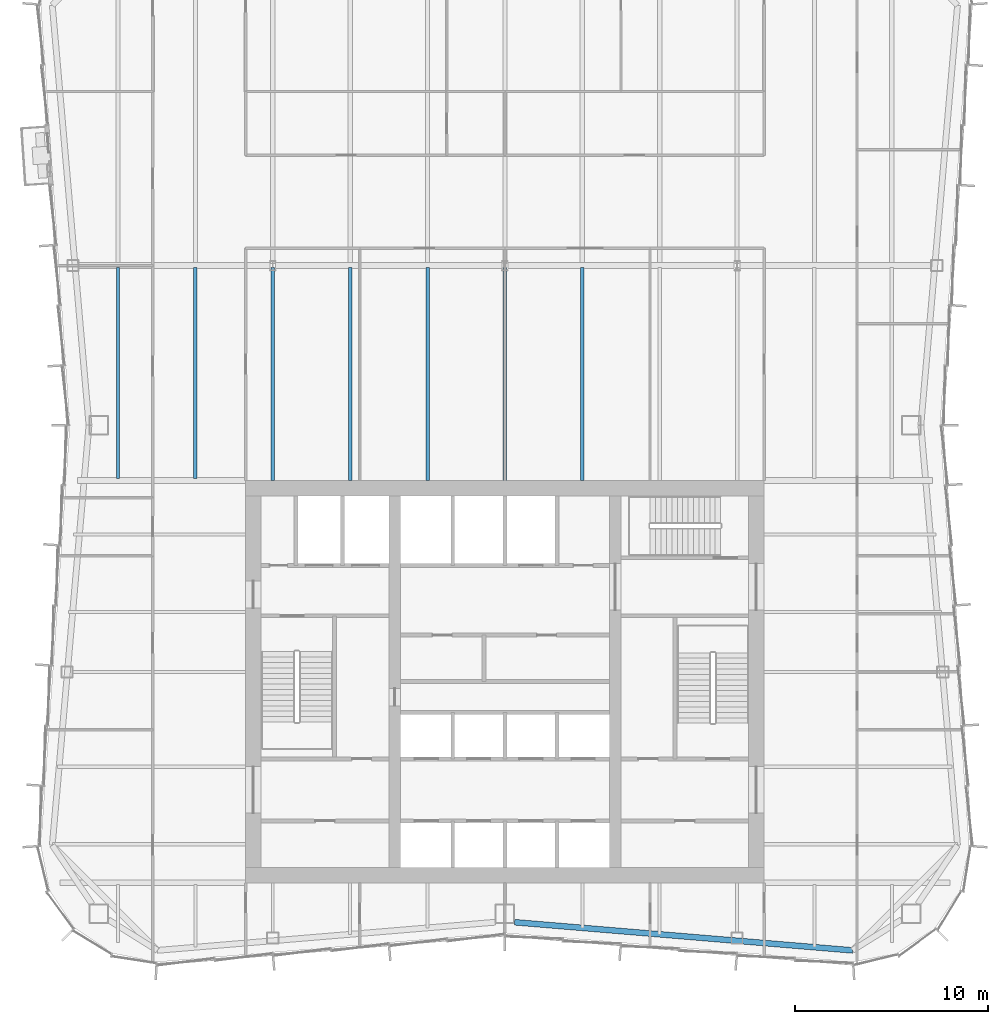
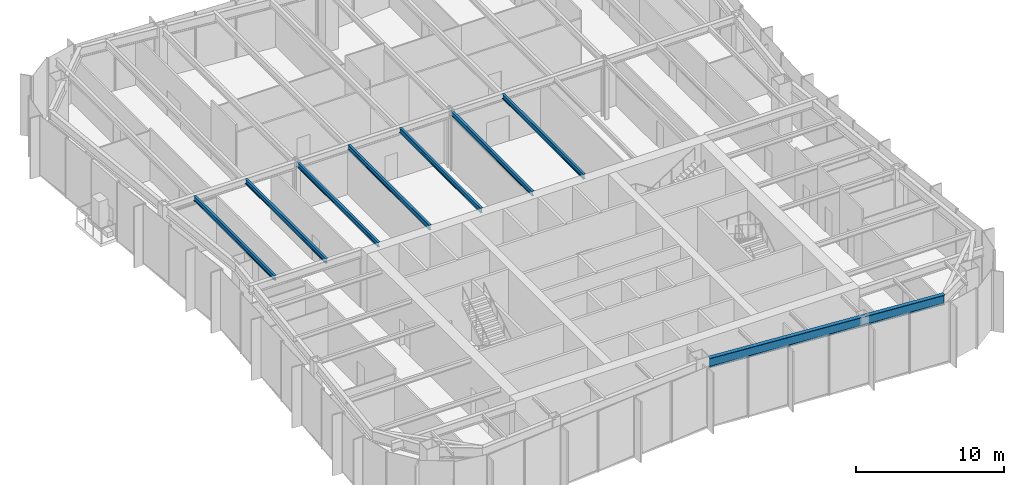
# One storey, part 4 of 15: 8 beams.
"""IFC4 building model written with IfcOpenShell, lengths in metres."""

from ifc_helpers import new_model, si_unit, direction, frame, origin, origin_2d, place, context, subcontext, project, spatial, i_section, extrude, material, material_profile, profile_set, type_object, element, save


model = new_model("IFC4")

# Units and contexts
model_context = context("Model", 3, precision=1e-05, world=origin(), true_north=direction((0.0, 1.0)))
body_context = subcontext(model_context, "Body", "Model", "MODEL_VIEW")
ifc_project = project(units=[si_unit("LENGTHUNIT", "METRE"), si_unit("AREAUNIT", "SQUARE_METRE"), si_unit("VOLUMEUNIT", "CUBIC_METRE"), si_unit("PLANEANGLEUNIT", "RADIAN"), si_unit("MASSUNIT", "GRAM", prefix="KILO")], contexts=[model_context])

# Site, building, storey
site_placement = place(None, origin())
site = spatial("IfcSite", under=ifc_project, at=site_placement, CompositionType="ELEMENT")
building_placement = place(site_placement, origin())
building = spatial("IfcBuilding", under=site, at=building_placement, Name="Verdant Reach Tower", CompositionType="ELEMENT")
storey_placement = place(building_placement, frame((0.0, 0.0, 233.0)))
storey = spatial("IfcBuildingStorey", under=building, at=storey_placement, Name="L53", CompositionType="ELEMENT", Elevation=233.0)

# Beams
ifc_material = material(Name="Steel S355", Category="steel")
ifc_material_profile_1 = material_profile(ifc_material, i_section(OverallWidth=0.179931640625, OverallDepth=0.39990234375, WebThickness=0.008544921875, FlangeThickness=0.013427734375, FilletRadius=0.02099609375, at=origin_2d()), Name="IPE 400")
ifc_profile_set_1 = profile_set([ifc_material_profile_1], Name="Steel S355")
beam_type_1 = type_object("IfcBeamType", Name="ST-JOIST-IPE400", PredefinedType="JOIST", material=ifc_profile_set_1)
for number, where, z_axis, x_axis, name in (
    (1, (-20.0, 38.5, 4.669921875), (0.0, 1.0, 0.0), (-1.0, 0.0, 0.0), "Floor joist, L53"),
    (2, (-16.0, 38.5, 4.669921875), (0.0, 1.0, 0.0), (-1.0, 0.0, 0.0), "Floor joist, L53"),
):
    element("IfcBeam", number, at=place(storey_placement, frame(where, z_axis=z_axis, x_axis=x_axis)), inside=storey, type_object=beam_type_1, Name=name, PredefinedType="JOIST", context=body_context, shape_type="SweptSolid", body=[
        extrude(i_section(OverallWidth=0.179931640625, OverallDepth=0.39990234375, WebThickness=0.008544921875, FlangeThickness=0.013427734375, FilletRadius=0.02099609375, at=origin_2d()), origin(), (0.0, 0.0, 1.0), 10.89990234375),
    ])
for number, where, z_axis, x_axis, name in (
    (3, (-12.0, 38.39990234375, 4.669921875), (0.0, 1.0, 0.0), (-1.0, 0.0, 0.0), "Floor joist, L53"),
    (4, (-8.0, 38.39990234375, 4.669921875), (0.0, 1.0, 0.0), (-1.0, 0.0, 0.0), "Floor joist, L53"),
    (5, (-4.0, 38.39990234375, 4.669921875), (0.0, 1.0, 0.0), (-1.0, 0.0, 0.0), "Floor joist, L53"),
    (6, (0.0, 38.39990234375, 4.669921875), (0.0, 1.0, 0.0), (-1.0, 0.0, 0.0), "Floor joist, L53"),
    (7, (4.0, 38.39990234375, 4.669921875), (0.0, 1.0, 0.0), (-1.0, 0.0, 0.0), "Floor joist, L53"),
):
    element("IfcBeam", number, at=place(storey_placement, frame(where, z_axis=z_axis, x_axis=x_axis)), inside=storey, type_object=beam_type_1, Name=name, PredefinedType="JOIST", context=body_context, shape_type="SweptSolid", body=[
        extrude(i_section(OverallWidth=0.179931640625, OverallDepth=0.39990234375, WebThickness=0.008544921875, FlangeThickness=0.013427734375, FilletRadius=0.02099609375, at=origin_2d()), origin(), (0.0, 0.0, 1.0), 11.0),
    ])
ifc_material_profile_2 = material_profile(ifc_material, i_section(OverallWidth=0.300048828125, OverallDepth=0.800048828125, WebThickness=0.017578125, FlangeThickness=0.032958984375, FilletRadius=0.030029296875, at=origin_2d()), Name="HEB 800")
ifc_profile_set_2 = profile_set([ifc_material_profile_2], Name="Steel S355")
beam_type_2 = type_object("IfcBeamType", Name="ST-SPANDREL-HEB800", PredefinedType="SPANDREL", material=ifc_profile_set_2)
beam_placement = place(storey_placement, frame((17.9658203125, 14.10498046875, 4.469970703125), z_axis=(-0.99654652675, 0.083036257282, 0.0), x_axis=(-0.083036257282, -0.99654652675, 0.0)))
element("IfcBeam", 8, at=beam_placement, inside=storey, type_object=beam_type_2, Name="Edge beam, L53", PredefinedType="SPANDREL", context=body_context, shape_type="SweptSolid", body=[
    extrude(i_section(OverallWidth=0.300048828125, OverallDepth=0.800048828125, WebThickness=0.017578125, FlangeThickness=0.032958984375, FilletRadius=0.030029296875, at=origin_2d()), origin(), (0.0, 0.0, 1.0), 17.5263671875),
])

save(model, "model.ifc")
